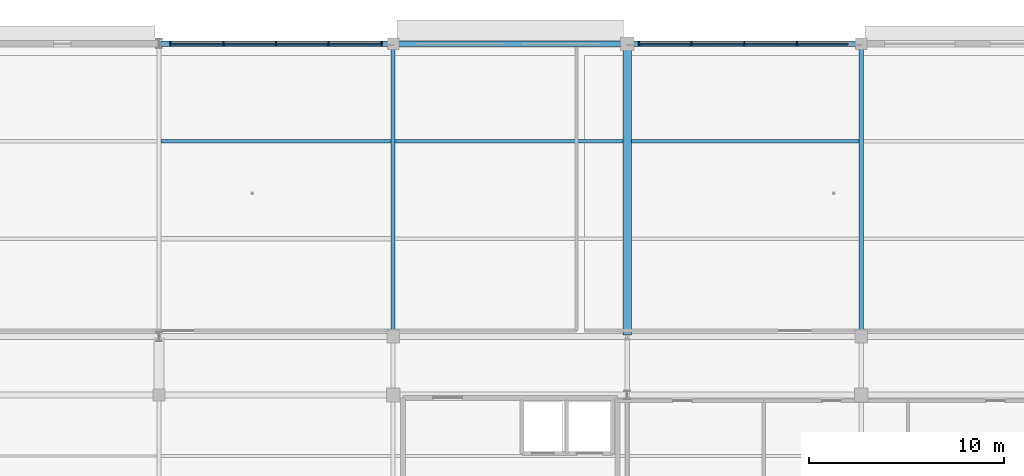
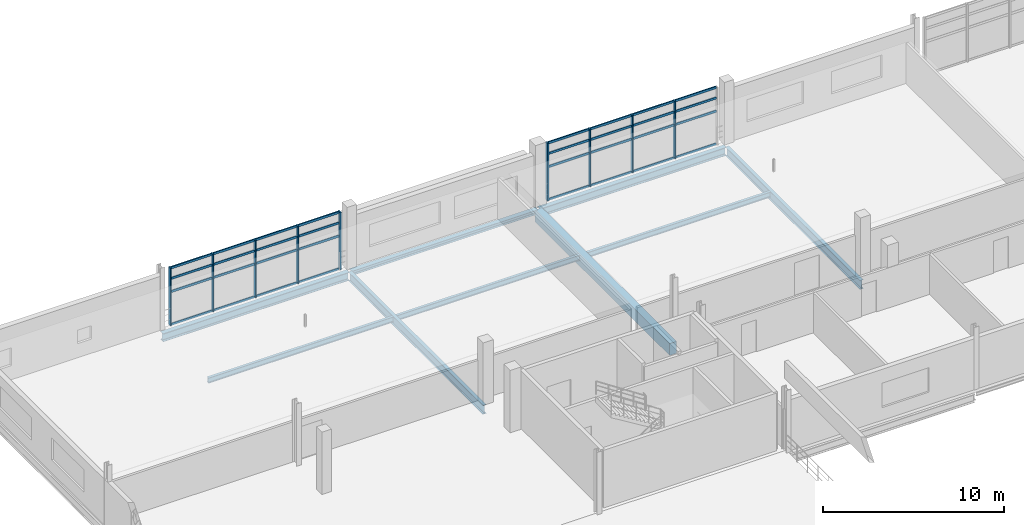
# One storey, part 50 of 89: 41 members, 9 beams, 2 elements without a shape of their own.
"""IFC4 building model written with IfcOpenShell, lengths in metres."""

from ifc_helpers import new_model, si_unit, direction, frame, origin, origin_2d, place, context, subcontext, project, spatial, rectangle, i_section, extrude, material, material_profile, profile_set, type_object, element, aggregate, save


model = new_model("IFC4")

# Units and contexts
model_context = context("Model", 3, precision=1e-05, world=origin(), true_north=direction((0.0, 1.0)))
body_context = subcontext(model_context, "Body", "Model", "MODEL_VIEW")
ifc_project = project(units=[si_unit("LENGTHUNIT", "METRE"), si_unit("AREAUNIT", "SQUARE_METRE"), si_unit("VOLUMEUNIT", "CUBIC_METRE"), si_unit("PLANEANGLEUNIT", "RADIAN"), si_unit("MASSUNIT", "GRAM", prefix="KILO"), si_unit("THERMODYNAMICTEMPERATUREUNIT", "KELVIN"), si_unit("POWERUNIT", "WATT")], contexts=[model_context])

# Site, building, storey
site_placement = place(None, origin())
site = spatial("IfcSite", under=ifc_project, at=site_placement, CompositionType="ELEMENT")
building_placement = place(site_placement, origin())
building = spatial("IfcBuilding", under=site, at=building_placement, Name="Solmara Park Aquatics Centre", CompositionType="ELEMENT")
storey_placement = place(building_placement, frame((0.0, 0.0, 5.39990234375)))
storey = spatial("IfcBuildingStorey", under=building, at=storey_placement, Name="L01", CompositionType="ELEMENT", Elevation=5.39990234375)

# Curtain wall, members
ifc_material_1 = material(Name="Anodised Aluminium Curtain Wall Framing", Category="aluminium")
curtain_wall_type = type_object("IfcCurtainWallType", Name="ARC-CW-SYS04", PredefinedType="USERDEFINED", material=ifc_material_1)
curtain_wall_1_placement = place(storey_placement, origin())
curtain_wall_1 = element("IfcCurtainWall", 1, at=curtain_wall_1_placement, inside=storey, type_object=curtain_wall_type, Name="Curtain Wall CW-117", ObjectType="CURTAIN WALL", PredefinedType="USERDEFINED")
ifc_material_2 = material(Name="Anodised Aluminium Alloy 6063-T6", Category="aluminium")
ifc_material_profile_1 = material_profile(ifc_material_2, rectangle(XDim=0.074951171875, YDim=0.219970703125, at=origin_2d()), Name="ALU MULLION 75x220")
ifc_profile_set_1 = profile_set([ifc_material_profile_1], Name="Anodised Aluminium Alloy 6063-T6")
member_type_1 = type_object("IfcMemberType", Name="ARC-CWM-75x220", PredefinedType="MULLION", material=ifc_profile_set_1)
member_1_placement = place(storey_placement, frame((37.199951171875, 136.0, 0.0), z_axis=(0.0, 0.0, 1.0), x_axis=(1.0, 0.0, 0.0)))
member_1 = element("IfcMember", 2, at=member_1_placement, type_object=member_type_1, Name="CW-117 mullion 1", PredefinedType="MULLION", context=body_context, shape_type="SweptSolid", body=[
    extrude(rectangle(XDim=0.074951171875, YDim=0.219970703125, at=origin_2d()), origin(), (0.0, 0.0, 1.0), 3.880126953125),
])
member_2_placement = place(storey_placement, frame((39.89990234375, 136.0, 0.0), z_axis=(0.0, 0.0, 1.0), x_axis=(1.0, 0.0, 0.0)))
member_2 = element("IfcMember", 3, at=member_2_placement, type_object=member_type_1, Name="CW-117 mullion 2", PredefinedType="MULLION", context=body_context, shape_type="SweptSolid", body=[
    extrude(rectangle(XDim=0.074951171875, YDim=0.219970703125, at=origin_2d()), origin(), (0.0, 0.0, 1.0), 3.880126953125),
])
member_3_placement = place(storey_placement, frame((42.60009765625, 136.0, 0.0), z_axis=(0.0, 0.0, 1.0), x_axis=(1.0, 0.0, 0.0)))
member_3 = element("IfcMember", 4, at=member_3_placement, type_object=member_type_1, Name="CW-117 mullion 3", PredefinedType="MULLION", context=body_context, shape_type="SweptSolid", body=[
    extrude(rectangle(XDim=0.074951171875, YDim=0.219970703125, at=origin_2d()), origin(), (0.0, 0.0, 1.0), 3.880126953125),
])
member_4_placement = place(storey_placement, frame((45.300048828125, 136.0, 0.0), z_axis=(0.0, 0.0, 1.0), x_axis=(1.0, 0.0, 0.0)))
member_4 = element("IfcMember", 5, at=member_4_placement, type_object=member_type_1, Name="CW-117 mullion 4", PredefinedType="MULLION", context=body_context, shape_type="SweptSolid", body=[
    extrude(rectangle(XDim=0.074951171875, YDim=0.219970703125, at=origin_2d()), origin(), (0.0, 0.0, 1.0), 3.880126953125),
])
member_5_placement = place(storey_placement, frame((48.0, 136.0, 0.0), z_axis=(0.0, 0.0, 1.0), x_axis=(1.0, 0.0, 0.0)))
member_5 = element("IfcMember", 6, at=member_5_placement, type_object=member_type_1, Name="CW-117 mullion 5", PredefinedType="MULLION", context=body_context, shape_type="SweptSolid", body=[
    extrude(rectangle(XDim=0.074951171875, YDim=0.219970703125, at=origin_2d()), origin(), (0.0, 0.0, 1.0), 3.880126953125),
])

curtain_wall_2_placement = place(storey_placement, origin())
curtain_wall_2 = element("IfcCurtainWall", 7, at=curtain_wall_2_placement, inside=storey, type_object=curtain_wall_type, Name="Curtain Wall CW-118", ObjectType="CURTAIN WALL", PredefinedType="USERDEFINED")
member_6_placement = place(storey_placement, frame((61.199951171875, 136.0, 0.0), z_axis=(0.0, 0.0, 1.0), x_axis=(1.0, 0.0, 0.0)))
member_6 = element("IfcMember", 8, at=member_6_placement, type_object=member_type_1, Name="CW-118 mullion 1", PredefinedType="MULLION", context=body_context, shape_type="SweptSolid", body=[
    extrude(rectangle(XDim=0.074951171875, YDim=0.219970703125, at=origin_2d()), origin(), (0.0, 0.0, 1.0), 3.880126953125),
])
member_7_placement = place(storey_placement, frame((63.89990234375, 136.0, 0.0), z_axis=(0.0, 0.0, 1.0), x_axis=(1.0, 0.0, 0.0)))
member_7 = element("IfcMember", 9, at=member_7_placement, type_object=member_type_1, Name="CW-118 mullion 2", PredefinedType="MULLION", context=body_context, shape_type="SweptSolid", body=[
    extrude(rectangle(XDim=0.074951171875, YDim=0.219970703125, at=origin_2d()), origin(), (0.0, 0.0, 1.0), 3.880126953125),
])
member_8_placement = place(storey_placement, frame((66.60009765625, 136.0, 0.0), z_axis=(0.0, 0.0, 1.0), x_axis=(1.0, 0.0, 0.0)))
member_8 = element("IfcMember", 10, at=member_8_placement, type_object=member_type_1, Name="CW-118 mullion 3", PredefinedType="MULLION", context=body_context, shape_type="SweptSolid", body=[
    extrude(rectangle(XDim=0.074951171875, YDim=0.219970703125, at=origin_2d()), origin(), (0.0, 0.0, 1.0), 3.880126953125),
])
member_9_placement = place(storey_placement, frame((69.300048828125, 136.0, 0.0), z_axis=(0.0, 0.0, 1.0), x_axis=(1.0, 0.0, 0.0)))
member_9 = element("IfcMember", 11, at=member_9_placement, type_object=member_type_1, Name="CW-118 mullion 4", PredefinedType="MULLION", context=body_context, shape_type="SweptSolid", body=[
    extrude(rectangle(XDim=0.074951171875, YDim=0.219970703125, at=origin_2d()), origin(), (0.0, 0.0, 1.0), 3.880126953125),
])

# Member
ifc_material_profile_2 = material_profile(ifc_material_2, rectangle(XDim=0.074951171875, YDim=0.14990234375, at=origin_2d()), Name="ALU TRANSOM 75x150")
ifc_profile_set_2 = profile_set([ifc_material_profile_2], Name="Anodised Aluminium Alloy 6063-T6")
member_type_2 = type_object("IfcMemberType", Name="ARC-CWT-75x150", PredefinedType="USERDEFINED", material=ifc_profile_set_2)
member_10_placement = place(storey_placement, frame((37.219970703125, 136.0, 0.0400390625), z_axis=(1.0, 0.0, 0.0), x_axis=(0.0, 1.0, 0.0)))
member_10 = element("IfcMember", 12, at=member_10_placement, type_object=member_type_2, Name="CW-117 transom 1", ObjectType="TRANSOM", PredefinedType="USERDEFINED", context=body_context, shape_type="SweptSolid", body=[
    extrude(rectangle(XDim=0.074951171875, YDim=0.14990234375, at=origin_2d()), origin(), (0.0, 0.0, 1.0), 2.6201171875),
])

member_11_placement = place(storey_placement, frame((37.219970703125, 136.0, 2.25048828125), z_axis=(1.0, 0.0, 0.0), x_axis=(0.0, 1.0, 0.0)))
member_11 = element("IfcMember", 13, at=member_11_placement, type_object=member_type_2, Name="CW-117 transom 2", ObjectType="TRANSOM", PredefinedType="USERDEFINED", context=body_context, shape_type="SweptSolid", body=[
    extrude(rectangle(XDim=0.074951171875, YDim=0.14990234375, at=origin_2d()), origin(), (0.0, 0.0, 1.0), 2.6201171875),
])

member_12_placement = place(storey_placement, frame((37.219970703125, 136.0, 3.130126953125), z_axis=(1.0, 0.0, 0.0), x_axis=(0.0, 1.0, 0.0)))
member_12 = element("IfcMember", 14, at=member_12_placement, type_object=member_type_2, Name="CW-117 transom 3", ObjectType="TRANSOM", PredefinedType="USERDEFINED", context=body_context, shape_type="SweptSolid", body=[
    extrude(rectangle(XDim=0.074951171875, YDim=0.14990234375, at=origin_2d()), origin(), (0.0, 0.0, 1.0), 2.6201171875),
])

member_13_placement = place(storey_placement, frame((37.219970703125, 136.0, 3.840087890625), z_axis=(1.0, 0.0, 0.0), x_axis=(0.0, 1.0, 0.0)))
member_13 = element("IfcMember", 15, at=member_13_placement, type_object=member_type_2, Name="CW-117 transom 4", ObjectType="TRANSOM", PredefinedType="USERDEFINED", context=body_context, shape_type="SweptSolid", body=[
    extrude(rectangle(XDim=0.074951171875, YDim=0.14990234375, at=origin_2d()), origin(), (0.0, 0.0, 1.0), 2.6201171875),
])

member_14_placement = place(storey_placement, frame((39.919921875, 136.0, 0.0400390625), z_axis=(1.0, 0.0, 0.0), x_axis=(0.0, 1.0, 0.0)))
member_14 = element("IfcMember", 16, at=member_14_placement, type_object=member_type_2, Name="CW-117 transom 5", ObjectType="TRANSOM", PredefinedType="USERDEFINED", context=body_context, shape_type="SweptSolid", body=[
    extrude(rectangle(XDim=0.074951171875, YDim=0.14990234375, at=origin_2d()), origin(), (0.0, 0.0, 1.0), 2.6201171875),
])

member_15_placement = place(storey_placement, frame((39.919921875, 136.0, 2.25048828125), z_axis=(1.0, 0.0, 0.0), x_axis=(0.0, 1.0, 0.0)))
member_15 = element("IfcMember", 17, at=member_15_placement, type_object=member_type_2, Name="CW-117 transom 6", ObjectType="TRANSOM", PredefinedType="USERDEFINED", context=body_context, shape_type="SweptSolid", body=[
    extrude(rectangle(XDim=0.074951171875, YDim=0.14990234375, at=origin_2d()), origin(), (0.0, 0.0, 1.0), 2.6201171875),
])

member_16_placement = place(storey_placement, frame((39.919921875, 136.0, 3.130126953125), z_axis=(1.0, 0.0, 0.0), x_axis=(0.0, 1.0, 0.0)))
member_16 = element("IfcMember", 18, at=member_16_placement, type_object=member_type_2, Name="CW-117 transom 7", ObjectType="TRANSOM", PredefinedType="USERDEFINED", context=body_context, shape_type="SweptSolid", body=[
    extrude(rectangle(XDim=0.074951171875, YDim=0.14990234375, at=origin_2d()), origin(), (0.0, 0.0, 1.0), 2.6201171875),
])

member_17_placement = place(storey_placement, frame((39.919921875, 136.0, 3.840087890625), z_axis=(1.0, 0.0, 0.0), x_axis=(0.0, 1.0, 0.0)))
member_17 = element("IfcMember", 19, at=member_17_placement, type_object=member_type_2, Name="CW-117 transom 8", ObjectType="TRANSOM", PredefinedType="USERDEFINED", context=body_context, shape_type="SweptSolid", body=[
    extrude(rectangle(XDim=0.074951171875, YDim=0.14990234375, at=origin_2d()), origin(), (0.0, 0.0, 1.0), 2.6201171875),
])

member_18_placement = place(storey_placement, frame((42.6201171875, 136.0, 0.0400390625), z_axis=(1.0, 0.0, 0.0), x_axis=(0.0, 1.0, 0.0)))
member_18 = element("IfcMember", 20, at=member_18_placement, type_object=member_type_2, Name="CW-117 transom 9", ObjectType="TRANSOM", PredefinedType="USERDEFINED", context=body_context, shape_type="SweptSolid", body=[
    extrude(rectangle(XDim=0.074951171875, YDim=0.14990234375, at=origin_2d()), origin(), (0.0, 0.0, 1.0), 2.619873046875),
])

member_19_placement = place(storey_placement, frame((42.6201171875, 136.0, 2.25048828125), z_axis=(1.0, 0.0, 0.0), x_axis=(0.0, 1.0, 0.0)))
member_19 = element("IfcMember", 21, at=member_19_placement, type_object=member_type_2, Name="CW-117 transom 10", ObjectType="TRANSOM", PredefinedType="USERDEFINED", context=body_context, shape_type="SweptSolid", body=[
    extrude(rectangle(XDim=0.074951171875, YDim=0.14990234375, at=origin_2d()), origin(), (0.0, 0.0, 1.0), 2.619873046875),
])

member_20_placement = place(storey_placement, frame((42.6201171875, 136.0, 3.130126953125), z_axis=(1.0, 0.0, 0.0), x_axis=(0.0, 1.0, 0.0)))
member_20 = element("IfcMember", 22, at=member_20_placement, type_object=member_type_2, Name="CW-117 transom 11", ObjectType="TRANSOM", PredefinedType="USERDEFINED", context=body_context, shape_type="SweptSolid", body=[
    extrude(rectangle(XDim=0.074951171875, YDim=0.14990234375, at=origin_2d()), origin(), (0.0, 0.0, 1.0), 2.619873046875),
])

member_21_placement = place(storey_placement, frame((42.6201171875, 136.0, 3.840087890625), z_axis=(1.0, 0.0, 0.0), x_axis=(0.0, 1.0, 0.0)))
member_21 = element("IfcMember", 23, at=member_21_placement, type_object=member_type_2, Name="CW-117 transom 12", ObjectType="TRANSOM", PredefinedType="USERDEFINED", context=body_context, shape_type="SweptSolid", body=[
    extrude(rectangle(XDim=0.074951171875, YDim=0.14990234375, at=origin_2d()), origin(), (0.0, 0.0, 1.0), 2.619873046875),
])

member_22_placement = place(storey_placement, frame((45.320068359375, 136.0, 0.0400390625), z_axis=(1.0, 0.0, 0.0), x_axis=(0.0, 1.0, 0.0)))
member_22 = element("IfcMember", 24, at=member_22_placement, type_object=member_type_2, Name="CW-117 transom 13", ObjectType="TRANSOM", PredefinedType="USERDEFINED", context=body_context, shape_type="SweptSolid", body=[
    extrude(rectangle(XDim=0.074951171875, YDim=0.14990234375, at=origin_2d()), origin(), (0.0, 0.0, 1.0), 2.619873046875),
])

member_23_placement = place(storey_placement, frame((45.320068359375, 136.0, 2.25048828125), z_axis=(1.0, 0.0, 0.0), x_axis=(0.0, 1.0, 0.0)))
member_23 = element("IfcMember", 25, at=member_23_placement, type_object=member_type_2, Name="CW-117 transom 14", ObjectType="TRANSOM", PredefinedType="USERDEFINED", context=body_context, shape_type="SweptSolid", body=[
    extrude(rectangle(XDim=0.074951171875, YDim=0.14990234375, at=origin_2d()), origin(), (0.0, 0.0, 1.0), 2.619873046875),
])

member_24_placement = place(storey_placement, frame((45.320068359375, 136.0, 3.130126953125), z_axis=(1.0, 0.0, 0.0), x_axis=(0.0, 1.0, 0.0)))
member_24 = element("IfcMember", 26, at=member_24_placement, type_object=member_type_2, Name="CW-117 transom 15", ObjectType="TRANSOM", PredefinedType="USERDEFINED", context=body_context, shape_type="SweptSolid", body=[
    extrude(rectangle(XDim=0.074951171875, YDim=0.14990234375, at=origin_2d()), origin(), (0.0, 0.0, 1.0), 2.619873046875),
])

member_25_placement = place(storey_placement, frame((45.320068359375, 136.0, 3.840087890625), z_axis=(1.0, 0.0, 0.0), x_axis=(0.0, 1.0, 0.0)))
member_25 = element("IfcMember", 27, at=member_25_placement, type_object=member_type_2, Name="CW-117 transom 16", ObjectType="TRANSOM", PredefinedType="USERDEFINED", context=body_context, shape_type="SweptSolid", body=[
    extrude(rectangle(XDim=0.074951171875, YDim=0.14990234375, at=origin_2d()), origin(), (0.0, 0.0, 1.0), 2.619873046875),
])

aggregate(curtain_wall_1, [member_1, member_2, member_3, member_4, member_5, member_10, member_11, member_12, member_13, member_14, member_15, member_16, member_17, member_18, member_19, member_20, member_21, member_22, member_23, member_24, member_25])

member_26_placement = place(storey_placement, frame((61.219970703125, 136.0, 0.0400390625), z_axis=(1.0, 0.0, 0.0), x_axis=(0.0, 1.0, 0.0)))
member_26 = element("IfcMember", 28, at=member_26_placement, type_object=member_type_2, Name="CW-118 transom 1", ObjectType="TRANSOM", PredefinedType="USERDEFINED", context=body_context, shape_type="SweptSolid", body=[
    extrude(rectangle(XDim=0.074951171875, YDim=0.14990234375, at=origin_2d()), origin(), (0.0, 0.0, 1.0), 2.6201171875),
])

member_27_placement = place(storey_placement, frame((61.219970703125, 136.0, 2.25048828125), z_axis=(1.0, 0.0, 0.0), x_axis=(0.0, 1.0, 0.0)))
member_27 = element("IfcMember", 29, at=member_27_placement, type_object=member_type_2, Name="CW-118 transom 2", ObjectType="TRANSOM", PredefinedType="USERDEFINED", context=body_context, shape_type="SweptSolid", body=[
    extrude(rectangle(XDim=0.074951171875, YDim=0.14990234375, at=origin_2d()), origin(), (0.0, 0.0, 1.0), 2.6201171875),
])

member_28_placement = place(storey_placement, frame((61.219970703125, 136.0, 3.130126953125), z_axis=(1.0, 0.0, 0.0), x_axis=(0.0, 1.0, 0.0)))
member_28 = element("IfcMember", 30, at=member_28_placement, type_object=member_type_2, Name="CW-118 transom 3", ObjectType="TRANSOM", PredefinedType="USERDEFINED", context=body_context, shape_type="SweptSolid", body=[
    extrude(rectangle(XDim=0.074951171875, YDim=0.14990234375, at=origin_2d()), origin(), (0.0, 0.0, 1.0), 2.6201171875),
])

member_29_placement = place(storey_placement, frame((61.219970703125, 136.0, 3.840087890625), z_axis=(1.0, 0.0, 0.0), x_axis=(0.0, 1.0, 0.0)))
member_29 = element("IfcMember", 31, at=member_29_placement, type_object=member_type_2, Name="CW-118 transom 4", ObjectType="TRANSOM", PredefinedType="USERDEFINED", context=body_context, shape_type="SweptSolid", body=[
    extrude(rectangle(XDim=0.074951171875, YDim=0.14990234375, at=origin_2d()), origin(), (0.0, 0.0, 1.0), 2.6201171875),
])

member_30_placement = place(storey_placement, frame((63.919921875, 136.0, 0.0400390625), z_axis=(1.0, 0.0, 0.0), x_axis=(0.0, 1.0, 0.0)))
member_30 = element("IfcMember", 32, at=member_30_placement, type_object=member_type_2, Name="CW-118 transom 5", ObjectType="TRANSOM", PredefinedType="USERDEFINED", context=body_context, shape_type="SweptSolid", body=[
    extrude(rectangle(XDim=0.074951171875, YDim=0.14990234375, at=origin_2d()), origin(), (0.0, 0.0, 1.0), 2.6201171875),
])

member_31_placement = place(storey_placement, frame((63.919921875, 136.0, 2.25048828125), z_axis=(1.0, 0.0, 0.0), x_axis=(0.0, 1.0, 0.0)))
member_31 = element("IfcMember", 33, at=member_31_placement, type_object=member_type_2, Name="CW-118 transom 6", ObjectType="TRANSOM", PredefinedType="USERDEFINED", context=body_context, shape_type="SweptSolid", body=[
    extrude(rectangle(XDim=0.074951171875, YDim=0.14990234375, at=origin_2d()), origin(), (0.0, 0.0, 1.0), 2.6201171875),
])

member_32_placement = place(storey_placement, frame((63.919921875, 136.0, 3.130126953125), z_axis=(1.0, 0.0, 0.0), x_axis=(0.0, 1.0, 0.0)))
member_32 = element("IfcMember", 34, at=member_32_placement, type_object=member_type_2, Name="CW-118 transom 7", ObjectType="TRANSOM", PredefinedType="USERDEFINED", context=body_context, shape_type="SweptSolid", body=[
    extrude(rectangle(XDim=0.074951171875, YDim=0.14990234375, at=origin_2d()), origin(), (0.0, 0.0, 1.0), 2.6201171875),
])

member_33_placement = place(storey_placement, frame((63.919921875, 136.0, 3.840087890625), z_axis=(1.0, 0.0, 0.0), x_axis=(0.0, 1.0, 0.0)))
member_33 = element("IfcMember", 35, at=member_33_placement, type_object=member_type_2, Name="CW-118 transom 8", ObjectType="TRANSOM", PredefinedType="USERDEFINED", context=body_context, shape_type="SweptSolid", body=[
    extrude(rectangle(XDim=0.074951171875, YDim=0.14990234375, at=origin_2d()), origin(), (0.0, 0.0, 1.0), 2.6201171875),
])

member_34_placement = place(storey_placement, frame((66.6201171875, 136.0, 0.0400390625), z_axis=(1.0, 0.0, 0.0), x_axis=(0.0, 1.0, 0.0)))
member_34 = element("IfcMember", 36, at=member_34_placement, type_object=member_type_2, Name="CW-118 transom 9", ObjectType="TRANSOM", PredefinedType="USERDEFINED", context=body_context, shape_type="SweptSolid", body=[
    extrude(rectangle(XDim=0.074951171875, YDim=0.14990234375, at=origin_2d()), origin(), (0.0, 0.0, 1.0), 2.619873046875),
])

member_35_placement = place(storey_placement, frame((66.6201171875, 136.0, 2.25048828125), z_axis=(1.0, 0.0, 0.0), x_axis=(0.0, 1.0, 0.0)))
member_35 = element("IfcMember", 37, at=member_35_placement, type_object=member_type_2, Name="CW-118 transom 10", ObjectType="TRANSOM", PredefinedType="USERDEFINED", context=body_context, shape_type="SweptSolid", body=[
    extrude(rectangle(XDim=0.074951171875, YDim=0.14990234375, at=origin_2d()), origin(), (0.0, 0.0, 1.0), 2.619873046875),
])

member_36_placement = place(storey_placement, frame((66.6201171875, 136.0, 3.130126953125), z_axis=(1.0, 0.0, 0.0), x_axis=(0.0, 1.0, 0.0)))
member_36 = element("IfcMember", 38, at=member_36_placement, type_object=member_type_2, Name="CW-118 transom 11", ObjectType="TRANSOM", PredefinedType="USERDEFINED", context=body_context, shape_type="SweptSolid", body=[
    extrude(rectangle(XDim=0.074951171875, YDim=0.14990234375, at=origin_2d()), origin(), (0.0, 0.0, 1.0), 2.619873046875),
])

member_37_placement = place(storey_placement, frame((66.6201171875, 136.0, 3.840087890625), z_axis=(1.0, 0.0, 0.0), x_axis=(0.0, 1.0, 0.0)))
member_37 = element("IfcMember", 39, at=member_37_placement, type_object=member_type_2, Name="CW-118 transom 12", ObjectType="TRANSOM", PredefinedType="USERDEFINED", context=body_context, shape_type="SweptSolid", body=[
    extrude(rectangle(XDim=0.074951171875, YDim=0.14990234375, at=origin_2d()), origin(), (0.0, 0.0, 1.0), 2.619873046875),
])

member_38_placement = place(storey_placement, frame((69.320068359375, 136.0, 0.0400390625), z_axis=(1.0, 0.0, 0.0), x_axis=(0.0, 1.0, 0.0)))
member_38 = element("IfcMember", 40, at=member_38_placement, type_object=member_type_2, Name="CW-118 transom 13", ObjectType="TRANSOM", PredefinedType="USERDEFINED", context=body_context, shape_type="SweptSolid", body=[
    extrude(rectangle(XDim=0.074951171875, YDim=0.14990234375, at=origin_2d()), origin(), (0.0, 0.0, 1.0), 2.619873046875),
])

member_39_placement = place(storey_placement, frame((69.320068359375, 136.0, 2.25048828125), z_axis=(1.0, 0.0, 0.0), x_axis=(0.0, 1.0, 0.0)))
member_39 = element("IfcMember", 41, at=member_39_placement, type_object=member_type_2, Name="CW-118 transom 14", ObjectType="TRANSOM", PredefinedType="USERDEFINED", context=body_context, shape_type="SweptSolid", body=[
    extrude(rectangle(XDim=0.074951171875, YDim=0.14990234375, at=origin_2d()), origin(), (0.0, 0.0, 1.0), 2.619873046875),
])

member_40_placement = place(storey_placement, frame((69.320068359375, 136.0, 3.130126953125), z_axis=(1.0, 0.0, 0.0), x_axis=(0.0, 1.0, 0.0)))
member_40 = element("IfcMember", 42, at=member_40_placement, type_object=member_type_2, Name="CW-118 transom 15", ObjectType="TRANSOM", PredefinedType="USERDEFINED", context=body_context, shape_type="SweptSolid", body=[
    extrude(rectangle(XDim=0.074951171875, YDim=0.14990234375, at=origin_2d()), origin(), (0.0, 0.0, 1.0), 2.619873046875),
])

member_41_placement = place(storey_placement, frame((69.320068359375, 136.0, 3.840087890625), z_axis=(1.0, 0.0, 0.0), x_axis=(0.0, 1.0, 0.0)))
member_41 = element("IfcMember", 43, at=member_41_placement, type_object=member_type_2, Name="CW-118 transom 16", ObjectType="TRANSOM", PredefinedType="USERDEFINED", context=body_context, shape_type="SweptSolid", body=[
    extrude(rectangle(XDim=0.074951171875, YDim=0.14990234375, at=origin_2d()), origin(), (0.0, 0.0, 1.0), 2.619873046875),
])

aggregate(curtain_wall_2, [member_6, member_7, member_8, member_9, member_26, member_27, member_28, member_29, member_30, member_31, member_32, member_33, member_34, member_35, member_36, member_37, member_38, member_39, member_40, member_41])

# Beams
ifc_material_3 = material(Name="Structural Steel S355", Category="steel")
ifc_material_profile_3 = material_profile(ifc_material_3, i_section(OverallWidth=0.300048828125, OverallDepth=0.550048828125, WebThickness=0.014892578125, FlangeThickness=0.029052734375, FilletRadius=0.027099609375, at=origin_2d()), Name="HEB 550")
ifc_profile_set_3 = profile_set([ifc_material_profile_3], Name="Structural Steel S355")
beam_type_1 = type_object("IfcBeamType", Name="STR-BM-HEB550", PredefinedType="BEAM", material=ifc_profile_set_3)
for number, where, z_axis, x_axis, name in (
    (44, (36.679931640625, 136.0, -0.594970703125), (1.0, 0.0, 0.0), (0.0, 1.0, 0.0), "Girder BM-L01-0311"),
    (45, (60.679931640625, 136.0, -0.594970703125), (1.0, 0.0, 0.0), (0.0, 1.0, 0.0), "Girder BM-L01-0313"),
):
    element("IfcBeam", number, at=place(storey_placement, frame(where, z_axis=z_axis, x_axis=x_axis)), inside=storey, type_object=beam_type_1, Name=name, PredefinedType="BEAM", context=body_context, shape_type="SweptSolid", body=[
        extrude(i_section(OverallWidth=0.300048828125, OverallDepth=0.550048828125, WebThickness=0.014892578125, FlangeThickness=0.029052734375, FilletRadius=0.027099609375, at=origin_2d()), origin(), (0.0, 0.0, 1.0), 11.840087890625),
    ])
ifc_material_profile_4 = material_profile(ifc_material_3, i_section(OverallWidth=0.219970703125, OverallDepth=0.60009765625, WebThickness=0.011962890625, FlangeThickness=0.01904296875, FilletRadius=0.02392578125, at=origin_2d()), Name="IPE 600")
ifc_profile_set_4 = profile_set([ifc_material_profile_4], Name="Structural Steel S355")
beam_type_2 = type_object("IfcBeamType", Name="STR-BM-IPE600", PredefinedType="BEAM", material=ifc_profile_set_4)
for number, where, z_axis, x_axis, name in (
    (46, (48.60009765625, 121.080078125, -0.619873046875), (0.0, 1.0, 0.0), (-1.0, 0.0, 0.0), "Girder BM-L01-0326"),
    (47, (72.60009765625, 121.080078125, -0.619873046875), (0.0, 1.0, 0.0), (-1.0, 0.0, 0.0), "Girder BM-L01-0332"),
):
    element("IfcBeam", number, at=place(storey_placement, frame(where, z_axis=z_axis, x_axis=x_axis)), inside=storey, type_object=beam_type_2, Name=name, PredefinedType="BEAM", context=body_context, shape_type="SweptSolid", body=[
        extrude(i_section(OverallWidth=0.219970703125, OverallDepth=0.60009765625, WebThickness=0.011962890625, FlangeThickness=0.01904296875, FilletRadius=0.02392578125, at=origin_2d()), origin(), (0.0, 0.0, 1.0), 14.83984375),
    ])
ifc_material_4 = material(Name="Concrete C40/50", Category="concrete")
ifc_material_profile_5 = material_profile(ifc_material_4, rectangle(XDim=0.449951171875, YDim=0.800048828125, at=origin_2d()), Name="RC 450x800")
ifc_profile_set_5 = profile_set([ifc_material_profile_5], Name="Concrete C40/50")
beam_type_3 = type_object("IfcBeamType", Name="STR-BM-RC450x800", PredefinedType="BEAM", material=ifc_profile_set_5)
beam_1_placement = place(storey_placement, frame((60.60009765625, 121.080078125, -0.719970703125), z_axis=(0.0, 1.0, 0.0), x_axis=(-1.0, 0.0, 0.0)))
element("IfcBeam", 48, at=beam_1_placement, inside=storey, type_object=beam_type_3, Name="Girder BM-L01-0329", PredefinedType="BEAM", context=body_context, shape_type="SweptSolid", body=[
    extrude(rectangle(XDim=0.449951171875, YDim=0.800048828125, at=origin_2d()), origin(), (0.0, 0.0, 1.0), 14.83984375),
])
ifc_material_profile_6 = material_profile(ifc_material_3, i_section(OverallWidth=0.169921875, OverallDepth=0.360107421875, WebThickness=0.008056640625, FlangeThickness=0.0126953125, FilletRadius=0.01806640625, at=origin_2d()), Name="IPE 360")
ifc_profile_set_6 = profile_set([ifc_material_profile_6], Name="Structural Steel S355")
beam_type_4 = type_object("IfcBeamType", Name="STR-JST-IPE360", PredefinedType="JOIST", material=ifc_profile_set_6)
beam_2_placement = place(storey_placement, frame((36.7099609375, 131.0, -0.5), z_axis=(1.0, 0.0, 0.0), x_axis=(0.0, 1.0, 0.0)))
element("IfcBeam", 49, at=beam_2_placement, inside=storey, type_object=beam_type_4, Name="Floor Joist JST-L01-0190", PredefinedType="JOIST", context=body_context, shape_type="SweptSolid", body=[
    extrude(i_section(OverallWidth=0.169921875, OverallDepth=0.360107421875, WebThickness=0.008056640625, FlangeThickness=0.0126953125, FilletRadius=0.01806640625, at=origin_2d()), origin(), (0.0, 0.0, 1.0), 11.780029296875),
])
for number, where, z_axis, x_axis, name in (
    (50, (48.7099609375, 131.0, -0.5), (1.0, 0.0, 0.0), (0.0, 1.0, 0.0), "Floor Joist JST-L01-0193"),
    (51, (60.824951171875, 131.0, -0.5), (1.0, 0.0, 0.0), (0.0, 1.0, 0.0), "Floor Joist JST-L01-0197"),
):
    element("IfcBeam", number, at=place(storey_placement, frame(where, z_axis=z_axis, x_axis=x_axis)), inside=storey, type_object=beam_type_4, Name=name, PredefinedType="JOIST", context=body_context, shape_type="SweptSolid", body=[
        extrude(i_section(OverallWidth=0.169921875, OverallDepth=0.360107421875, WebThickness=0.008056640625, FlangeThickness=0.0126953125, FilletRadius=0.01806640625, at=origin_2d()), origin(), (0.0, 0.0, 1.0), 11.6650390625),
    ])
ifc_material_profile_7 = material_profile(ifc_material_3, i_section(OverallWidth=0.300048828125, OverallDepth=0.2900390625, WebThickness=0.008544921875, FlangeThickness=0.013916015625, FilletRadius=0.027099609375, at=origin_2d()), Name="HEA 300")
ifc_profile_set_7 = profile_set([ifc_material_profile_7], Name="Structural Steel S355")
beam_type_5 = type_object("IfcBeamType", Name="STR-SPD-HEA300", PredefinedType="SPANDREL", material=ifc_profile_set_7)
beam_3_placement = place(storey_placement, frame((48.679931640625, 136.0, -0.46484375), z_axis=(1.0, 0.0, 0.0), x_axis=(0.0, 1.0, 0.0)))
element("IfcBeam", 52, at=beam_3_placement, inside=storey, type_object=beam_type_5, Name="Girder BM-L01-0312", PredefinedType="SPANDREL", context=body_context, shape_type="SweptSolid", body=[
    extrude(i_section(OverallWidth=0.300048828125, OverallDepth=0.2900390625, WebThickness=0.008544921875, FlangeThickness=0.013916015625, FilletRadius=0.027099609375, at=origin_2d()), origin(), (0.0, 0.0, 1.0), 11.840087890625),
])

save(model, "model.ifc")
